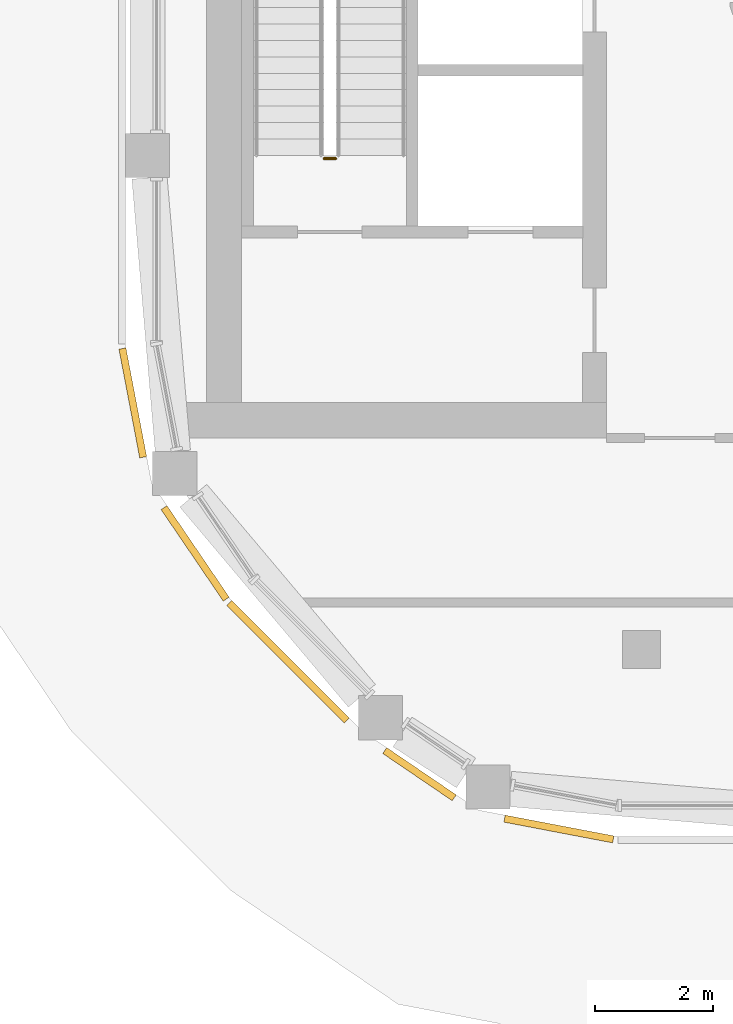
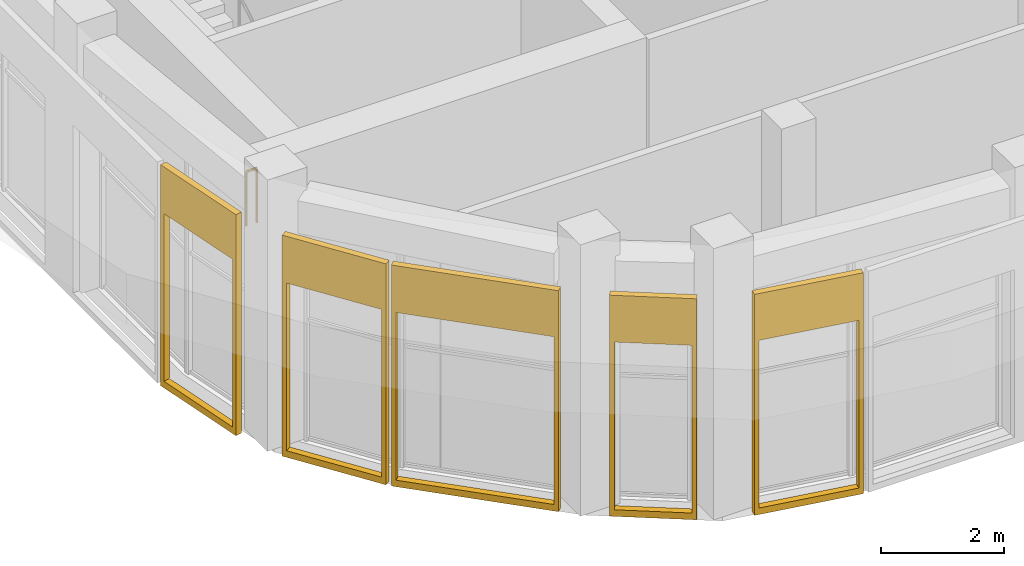
# One storey, part 19 of 24: 5 coverings, 1 railing.
"""IFC4 building model written with IfcOpenShell, lengths in metres."""

from ifc_helpers import new_model, si_unit, direction, frame, origin, origin_2d, place, context, subcontext, project, spatial, polyline, circle, outline, extrude, material, layer, layer_set, type_object, element, save


model = new_model("IFC4")

# Units and contexts
model_context = context("Model", 3, precision=1e-05, world=origin(), true_north=direction((0.0, 1.0)))
body_context = subcontext(model_context, "Body", "Model", "MODEL_VIEW")
ifc_project = project(units=[si_unit("LENGTHUNIT", "METRE"), si_unit("AREAUNIT", "SQUARE_METRE"), si_unit("VOLUMEUNIT", "CUBIC_METRE"), si_unit("PLANEANGLEUNIT", "RADIAN"), si_unit("MASSUNIT", "GRAM", prefix="KILO")], contexts=[model_context])

# Site, building, storey
site_placement = place(None, origin())
site = spatial("IfcSite", under=ifc_project, at=site_placement, CompositionType="ELEMENT")
building_placement = place(site_placement, origin())
building = spatial("IfcBuilding", under=site, at=building_placement, Name="Kiln Ring Residences", CompositionType="ELEMENT")
storey_placement = place(building_placement, frame((0.0, 0.0, 283.699951171875)))
storey = spatial("IfcBuildingStorey", under=building, at=storey_placement, Name="L74", CompositionType="ELEMENT", Elevation=283.699951171875)

# Railing
ifc_material_1 = material(Name="Stainless steel", Category="steel")
railing_type = type_object("IfcRailingType", Name="CORE-STAIR-GUARD", PredefinedType="GUARDRAIL", material=ifc_material_1)
railing_placement = place(storey_placement, frame((-22.0, -8.449951171875, 0.0)))
element("IfcRailing", 1, at=railing_placement, inside=storey, type_object=railing_type, Name="L74 W-STS stair guard 4", PredefinedType="GUARDRAIL", context=body_context, shape_type="SweptSolid", body=[
    extrude(circle(Radius=0.02392578125, at=origin_2d()), frame((0.0, 0.0, 1.076171875), z_axis=(-1.0, 0.0, 0.0), x_axis=(0.0, -1.0, 0.0)), (0.0, 0.0, 1.0), 0.199951171875),
    extrude(circle(Radius=0.02099609375, at=origin_2d()), origin(), (0.0, 0.0, 1.0), 1.052001953125),
    extrude(circle(Radius=0.02099609375, at=origin_2d()), frame((-0.199951171875, 0.0, 0.0)), (0.0, 0.0, 1.0), 1.052001953125),
])

# Coverings
ifc_material_2 = material(Name="Brick masonry, dark clay brick", Category="masonry")
ifc_layer = layer(ifc_material_2, 0.1201171875)
ifc_layer_set = layer_set([ifc_layer], Name="RAINSCREEN PANEL 120")
covering_type = type_object("IfcCoveringType", Name="RAINSCREEN PANEL 120", PredefinedType="CLADDING", material=ifc_layer_set)
covering_1_placement = place(storey_placement, frame((-23.810546875, -16.004638671875, 0.0), z_axis=(0.0, 0.0, 1.0), x_axis=(0.707106781187, -0.707106781187, 0.0)))
element("IfcCovering", 2, at=covering_1_placement, inside=storey, type_object=covering_type, Name="RAINSCREEN L74", PredefinedType="CLADDING", context=body_context, shape_type="SweptSolid", body=[
    extrude(outline(polyline([(0.0, 0.0), (2.824951171875, 0.0), (2.824951171875, 4.400146484375), (0.0, 4.400146484375), (0.0, 0.0)]), holes=[polyline([(0.080078125, 3.469970703125), (0.080078125, 0.130126953125), (2.7451171875, 0.130126953125), (2.7451171875, 3.469970703125), (0.080078125, 3.469970703125)])]), frame((0.0, 0.06005859375, 0.0), z_axis=(0.0, -1.0, 0.0), x_axis=(1.0, 0.0, 0.0)), (0.0, 0.0, 1.0), 0.1201171875),
])
covering_2_placement = place(storey_placement, frame((-21.166015625, -18.517822265625, 0.0), z_axis=(0.0, 0.0, 1.0), x_axis=(0.827015589659, -0.562178987923, 0.0)))
element("IfcCovering", 3, at=covering_2_placement, inside=storey, type_object=covering_type, Name="RAINSCREEN L74", PredefinedType="CLADDING", context=body_context, shape_type="SweptSolid", body=[
    extrude(outline(polyline([(0.0, 0.0), (1.427001953125, 0.0), (1.427001953125, 4.400146484375), (0.0, 4.400146484375), (0.0, 0.0)]), holes=[polyline([(0.080078125, 3.469970703125), (0.080078125, 0.130126953125), (1.34716796875, 0.130126953125), (1.34716796875, 3.469970703125), (0.080078125, 3.469970703125)])]), frame((0.0, 0.06005859375, 0.0), z_axis=(0.0, -1.0, 0.0), x_axis=(1.0, 0.0, 0.0)), (0.0, 0.0, 1.0), 0.1201171875),
])
for number, where, z_axis, x_axis, name in (
    (4, (-19.12939453125, -19.6748046875, 0.0), (0.0, 0.0, 1.0), (0.982284001233, -0.187398348234, 0.0), "RAINSCREEN L74"),
    (5, (-25.627197265625, -11.681396484375, 0.0), (0.0, 0.0, 1.0), (0.187273123953, -0.982307883021, 0.0), "RAINSCREEN L74"),
    (6, (-24.920166015625, -14.3857421875, 0.0), (0.0, 0.0, 1.0), (0.562075713892, -0.827085782645, 0.0), "RAINSCREEN L74"),
):
    element("IfcCovering", number, at=place(storey_placement, frame(where, z_axis=z_axis, x_axis=x_axis)), inside=storey, type_object=covering_type, Name=name, PredefinedType="CLADDING", context=body_context, shape_type="SweptSolid", body=[
        extrude(outline(polyline([(0.0, 0.0), (1.881103515625, 0.0), (1.881103515625, 4.400146484375), (0.0, 4.400146484375), (0.0, 0.0)]), holes=[polyline([(0.080078125, 3.469970703125), (0.080078125, 0.130126953125), (1.801025390625, 0.130126953125), (1.801025390625, 3.469970703125), (0.080078125, 3.469970703125)])]), frame((0.0, 0.06005859375, 0.0), z_axis=(0.0, -1.0, 0.0), x_axis=(1.0, 0.0, 0.0)), (0.0, 0.0, 1.0), 0.1201171875),
    ])

save(model, "model.ifc")
